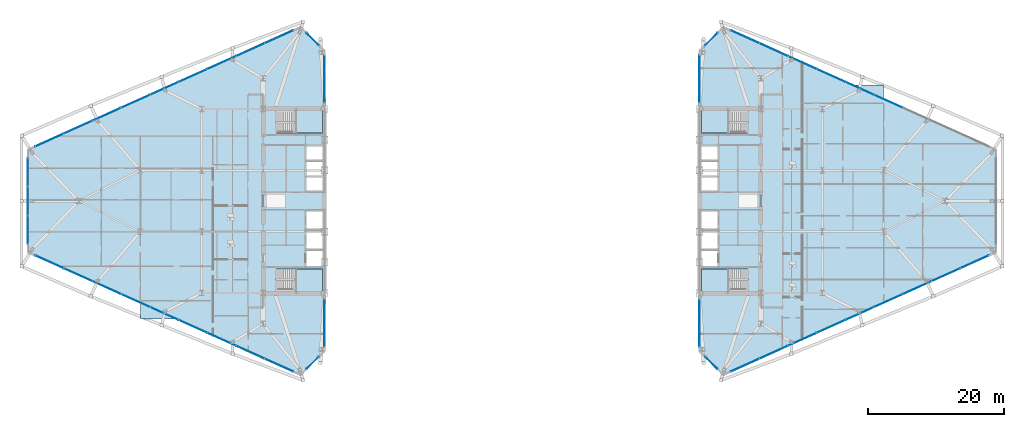
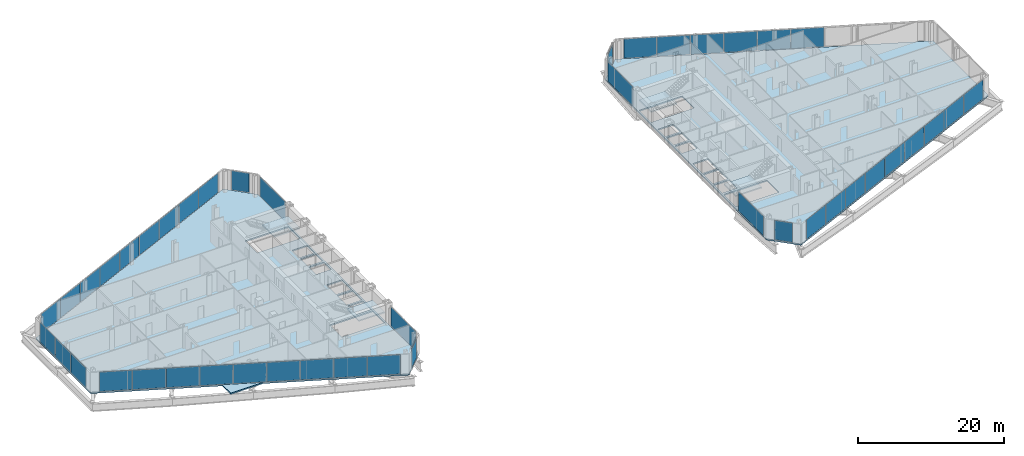
# One storey, part 18 of 29: 44 plates, 8 slabs, 17 elements without a shape of their own.
"""IFC4 building model written with IfcOpenShell, lengths in metres."""

from ifc_helpers import new_model, si_unit, direction, frame, origin, origin_2d, place, context, subcontext, project, spatial, polyline, rectangle, outline, extrude, source, transform, mapped, material, layer, layer_set, type_object, type_shapes, element, aggregate, save


model = new_model("IFC4")

# Units and contexts
model_context = context("Model", 3, precision=1e-05, world=origin(), true_north=direction((0.0, 1.0)))
body_context = subcontext(model_context, "Body", "Model", "MODEL_VIEW")
ifc_project = project(units=[si_unit("LENGTHUNIT", "METRE"), si_unit("AREAUNIT", "SQUARE_METRE"), si_unit("VOLUMEUNIT", "CUBIC_METRE"), si_unit("PLANEANGLEUNIT", "RADIAN"), si_unit("MASSUNIT", "GRAM", prefix="KILO")], contexts=[model_context])

# Site, building, storey
site_placement = place(None, origin())
site = spatial("IfcSite", under=ifc_project, at=site_placement, CompositionType="ELEMENT")
building_placement = place(site_placement, origin())
building = spatial("IfcBuilding", under=site, at=building_placement, Name="Seokmaru Belvedere", CompositionType="ELEMENT")
storey_placement = place(building_placement, frame((0.0, 0.0, 62.10009765625)))
storey = spatial("IfcBuildingStorey", under=building, at=storey_placement, Name="L16", CompositionType="ELEMENT", Elevation=62.10009765625)

# Stair, slab
ifc_material_1 = material(Name="Concrete C40 (40 MPa)", Category="concrete")
stair_type = type_object("IfcStairType", Name="Typical Tower Core Dog-Leg Stair 3600", PredefinedType="TWO_STRAIGHT_RUN_STAIR", material=ifc_material_1)
stair_1_placement = place(storey_placement, origin())
stair_1 = element("IfcStair", 1, at=stair_1_placement, inside=storey, type_object=stair_type, Name="L16 Special Escape Stair ST-W1", PredefinedType="TWO_STRAIGHT_RUN_STAIR")
ifc_layer_1 = layer(ifc_material_1, 0.199951171875)
ifc_layer_set_1 = layer_set([ifc_layer_1], Name="Concrete C40 (40 MPa)")
slab_type_1 = type_object("IfcSlabType", Name="Reinforced Concrete Stair Landing Slab 200", PredefinedType="LANDING", material=ifc_layer_set_1)
slab_1_placement = place(storey_placement, frame((0.0, 0.0, 1.599853515625)))
slab_1 = element("IfcSlab", 2, at=slab_1_placement, type_object=slab_type_1, Name="ST-W1 landing 1", PredefinedType="LANDING", context=body_context, shape_type="SweptSolid", body=[
    extrude(outline(polyline([(-31.8798828125, -13.239990234375), (-27.760009765625, -13.239990234375), (-27.760009765625, -9.949951171875), (-31.8798828125, -9.949951171875), (-31.8798828125, -13.239990234375)])), origin(), (0.0, 0.0, 1.0), 0.199951171875),
])
aggregate(stair_1, [slab_1])

stair_2_placement = place(storey_placement, origin())
stair_2 = element("IfcStair", 3, at=stair_2_placement, inside=storey, type_object=stair_type, Name="L16 Special Escape Stair ST-W2", PredefinedType="TWO_STRAIGHT_RUN_STAIR")
slab_2_placement = place(storey_placement, frame((0.0, 0.0, 1.599853515625)))
slab_2 = element("IfcSlab", 4, at=slab_2_placement, type_object=slab_type_1, Name="ST-W2 landing 1", PredefinedType="LANDING", context=body_context, shape_type="SweptSolid", body=[
    extrude(outline(polyline([(-31.8798828125, 9.949951171875), (-27.760009765625, 9.949951171875), (-27.760009765625, 13.239990234375), (-31.8798828125, 13.239990234375), (-31.8798828125, 9.949951171875)])), origin(), (0.0, 0.0, 1.0), 0.199951171875),
])
aggregate(stair_2, [slab_2])

stair_3_placement = place(storey_placement, origin())
stair_3 = element("IfcStair", 5, at=stair_3_placement, inside=storey, type_object=stair_type, Name="L16 Special Escape Stair ST-E1", PredefinedType="TWO_STRAIGHT_RUN_STAIR")
slab_3_placement = place(storey_placement, frame((0.0, 0.0, 1.599853515625)))
slab_3 = element("IfcSlab", 6, at=slab_3_placement, type_object=slab_type_1, Name="ST-E1 landing 1", PredefinedType="LANDING", context=body_context, shape_type="SweptSolid", body=[
    extrude(outline(polyline([(27.760009765625, -13.239990234375), (31.8798828125, -13.239990234375), (31.8798828125, -9.949951171875), (27.760009765625, -9.949951171875), (27.760009765625, -13.239990234375)])), origin(), (0.0, 0.0, 1.0), 0.199951171875),
])
aggregate(stair_3, [slab_3])

stair_4_placement = place(storey_placement, origin())
stair_4 = element("IfcStair", 7, at=stair_4_placement, inside=storey, type_object=stair_type, Name="L16 Special Escape Stair ST-E2", PredefinedType="TWO_STRAIGHT_RUN_STAIR")
slab_4_placement = place(storey_placement, frame((0.0, 0.0, 1.599853515625)))
slab_4 = element("IfcSlab", 8, at=slab_4_placement, type_object=slab_type_1, Name="ST-E2 landing 1", PredefinedType="LANDING", context=body_context, shape_type="SweptSolid", body=[
    extrude(outline(polyline([(27.760009765625, 9.949951171875), (31.8798828125, 9.949951171875), (31.8798828125, 13.239990234375), (27.760009765625, 13.239990234375), (27.760009765625, 9.949951171875)])), origin(), (0.0, 0.0, 1.0), 0.199951171875),
])
aggregate(stair_4, [slab_4])

# Slabs
ifc_layer_2 = layer(ifc_material_1, 0.219970703125)
ifc_layer_set_2 = layer_set([ifc_layer_2], Name="Concrete C40 (40 MPa)")
slab_type_2 = type_object("IfcSlabType", Name="Setback Corner Roof Slab 220", PredefinedType="ROOF", material=ifc_layer_set_2)
slab_5_placement = place(storey_placement, frame((0.0, 0.0, -0.22021484375)))
element("IfcSlab", 9, at=slab_5_placement, inside=storey, type_object=slab_type_2, Name="L16 West Setback Corner Roof Slab", PredefinedType="ROOF", context=body_context, shape_type="SweptSolid", body=[
    extrude(outline(polyline([(-49.313720703125, -17.259033203125), (-54.474609375, -14.936767578125), (-54.474609375, -17.274658203125), (-49.317138671875, -17.274658203125), (-49.313720703125, -17.259033203125)])), origin(), (0.0, 0.0, 1.0), 0.22021484375),
])
slab_6_placement = place(storey_placement, frame((0.0, 0.0, -0.22021484375)))
element("IfcSlab", 10, at=slab_6_placement, inside=storey, type_object=slab_type_2, Name="L16 East Setback Corner Roof Slab", PredefinedType="ROOF", context=body_context, shape_type="SweptSolid", body=[
    extrude(outline(polyline([(49.824951171875, 17.029052734375), (54.474609375, 14.936767578125), (54.474609375, 17.044677734375), (49.828369140625, 17.044677734375), (49.824951171875, 17.029052734375)])), origin(), (0.0, 0.0, 1.0), 0.22021484375),
])
ifc_layer_3 = layer(ifc_material_1, 0.219970703125)
ifc_layer_set_3 = layer_set([ifc_layer_3], Name="Concrete C40 (40 MPa)")
slab_type_3 = type_object("IfcSlabType", Name="Typical Tower Composite Floor Slab 220", PredefinedType="FLOOR", material=ifc_layer_set_3)
slab_7_placement = place(storey_placement, frame((0.0, 0.0, -0.22021484375)))
element("IfcSlab", 11, at=slab_7_placement, inside=storey, type_object=slab_type_3, Name="L16 West Leg Floor Slab", PredefinedType="FLOOR", context=body_context, shape_type="SweptSolid", body=[
    extrude(outline(polyline([(-27.5, -22.0), (-27.5, 22.0), (-31.0, 25.5), (-71.0, 7.5), (-71.0, -7.5), (-31.0, -25.5), (-27.5, -22.0)]), holes=[polyline([(-34.60009765625, -13.25), (-27.75, -13.25), (-27.75, -9.949951171875), (-34.60009765625, -9.949951171875), (-34.60009765625, -13.25)]), polyline([(-34.60009765625, 9.949951171875), (-27.75, 9.949951171875), (-27.75, 13.25), (-34.60009765625, 13.25), (-34.60009765625, 9.949951171875)]), polyline([(-30.14990234375, -9.550048828125), (-27.75, -9.550048828125), (-27.75, -7.25), (-30.14990234375, -7.25), (-30.14990234375, -9.550048828125)]), polyline([(-30.14990234375, -6.949951171875), (-27.75, -6.949951171875), (-27.75, -4.35009765625), (-30.14990234375, -4.35009765625), (-30.14990234375, -6.949951171875)]), polyline([(-30.14990234375, -4.050048828125), (-27.75, -4.050048828125), (-27.75, -1.449951171875), (-30.14990234375, -1.449951171875), (-30.14990234375, -4.050048828125)]), polyline([(-30.14990234375, 1.449951171875), (-27.75, 1.449951171875), (-27.75, 3.449951171875), (-30.14990234375, 3.449951171875), (-30.14990234375, 1.449951171875)]), polyline([(-30.14990234375, 3.75), (-27.75, 3.75), (-27.75, 5.75), (-30.14990234375, 5.75), (-30.14990234375, 3.75)]), polyline([(-30.14990234375, 6.050048828125), (-27.75, 6.050048828125), (-27.75, 8.050048828125), (-30.14990234375, 8.050048828125), (-30.14990234375, 6.050048828125)])]), origin(), (0.0, 0.0, 1.0), 0.22021484375),
])
slab_8_placement = place(storey_placement, frame((0.0, 0.0, -0.22021484375)))
element("IfcSlab", 12, at=slab_8_placement, inside=storey, type_object=slab_type_3, Name="L16 East Leg Floor Slab", PredefinedType="FLOOR", context=body_context, shape_type="SweptSolid", body=[
    extrude(outline(polyline([(31.0, -25.5), (71.0, -7.5), (71.0, 7.5), (31.0, 25.5), (27.5, 22.0), (27.5, -22.0), (31.0, -25.5)]), holes=[polyline([(27.75, -13.25), (34.60009765625, -13.25), (34.60009765625, -9.949951171875), (27.75, -9.949951171875), (27.75, -13.25)]), polyline([(27.75, 9.949951171875), (34.60009765625, 9.949951171875), (34.60009765625, 13.25), (27.75, 13.25), (27.75, 9.949951171875)]), polyline([(27.75, -9.550048828125), (30.14990234375, -9.550048828125), (30.14990234375, -7.25), (27.75, -7.25), (27.75, -9.550048828125)]), polyline([(27.75, -6.949951171875), (30.14990234375, -6.949951171875), (30.14990234375, -4.35009765625), (27.75, -4.35009765625), (27.75, -6.949951171875)]), polyline([(27.75, -4.050048828125), (30.14990234375, -4.050048828125), (30.14990234375, -1.449951171875), (27.75, -1.449951171875), (27.75, -4.050048828125)]), polyline([(27.75, 1.449951171875), (30.14990234375, 1.449951171875), (30.14990234375, 3.449951171875), (27.75, 3.449951171875), (27.75, 1.449951171875)]), polyline([(27.75, 3.75), (30.14990234375, 3.75), (30.14990234375, 5.75), (27.75, 5.75), (27.75, 3.75)]), polyline([(27.75, 6.050048828125), (30.14990234375, 6.050048828125), (30.14990234375, 8.050048828125), (27.75, 8.050048828125), (27.75, 6.050048828125)])]), origin(), (0.0, 0.0, 1.0), 0.22021484375),
])

# Curtain wall, plate
ifc_material_2 = material(Name="Bronze Triple Insulating Glass", Category="glass")
ifc_layer_4 = layer(ifc_material_2, 0.195068359375)
ifc_layer_set_4 = layer_set([ifc_layer_4], Name="Bronze Triple Insulating Glass")
curtain_wall_type = type_object("IfcCurtainWallType", Name="Lower-Mid Tapered Curtain Wall System CW-3", PredefinedType="NOTDEFINED", material=ifc_layer_set_4)
curtain_wall_1_placement = place(storey_placement, origin())
curtain_wall_1 = element("IfcCurtainWall", 13, at=curtain_wall_1_placement, inside=storey, type_object=curtain_wall_type, Name="L16 Curtain Wall WSP_1", PredefinedType="NOTDEFINED")
ifc_layer_5 = layer(ifc_material_2, 0.035888671875)
ifc_layer_set_5 = layer_set([ifc_layer_5], Name="Bronze Triple Insulating Glass")
plate_type = type_object("IfcPlateType", Name="Bronze Triple Vision Glazing Panel 36", PredefinedType="CURTAIN_PANEL", material=ifc_layer_set_5)
shared_shape_1 = source(origin(), body_context, "Body", "SweptSolid", [
    extrude(rectangle(XDim=6.909912109375, YDim=0.035888671875, at=origin_2d()), origin(), (0.0, 0.0, 1.0), 3.239990234375),
])
plate_1_placement = place(storey_placement, frame((-27.5, -17.905029296875, 0.06982421875), z_axis=(0.0, 0.0, 1.0), x_axis=(0.0, 1.0, 0.0)))
plate_1 = element("IfcPlate", 14, at=plate_1_placement, type_object=plate_type, Name="CW:L16:WSP_1 Glazing Panel 1-1", PredefinedType="CURTAIN_PANEL", context=body_context, shape_type="MappedRepresentation", body=[
    mapped(shared_shape_1, transform((0.0, 0.0, 0.0), scale=1.0)),
])
aggregate(curtain_wall_1, [plate_1])

curtain_wall_2_placement = place(storey_placement, origin())
curtain_wall_2 = element("IfcCurtainWall", 15, at=curtain_wall_2_placement, inside=storey, type_object=curtain_wall_type, Name="L16 Curtain Wall WSP_2", PredefinedType="NOTDEFINED")
plate_2_placement = place(storey_placement, frame((-27.5, 17.905029296875, 0.06982421875), z_axis=(0.0, 0.0, 1.0), x_axis=(0.0, 1.0, 0.0)))
plate_2 = element("IfcPlate", 16, at=plate_2_placement, type_object=plate_type, Name="CW:L16:WSP_2 Glazing Panel 1-1", PredefinedType="CURTAIN_PANEL", context=body_context, shape_type="MappedRepresentation", body=[
    mapped(shared_shape_1, transform((0.0, 0.0, 0.0), scale=1.0)),
])
aggregate(curtain_wall_2, [plate_2])

curtain_wall_3_placement = place(storey_placement, origin())
curtain_wall_3 = element("IfcCurtainWall", 17, at=curtain_wall_3_placement, inside=storey, type_object=curtain_wall_type, Name="L16 Curtain Wall ESP_1", PredefinedType="NOTDEFINED")
plate_3_placement = place(storey_placement, frame((27.5, -17.905029296875, 0.06982421875), z_axis=(0.0, 0.0, 1.0), x_axis=(0.0, -1.0, 0.0)))
plate_3 = element("IfcPlate", 18, at=plate_3_placement, type_object=plate_type, Name="CW:L16:ESP_1 Glazing Panel 1-1", PredefinedType="CURTAIN_PANEL", context=body_context, shape_type="MappedRepresentation", body=[
    mapped(shared_shape_1, transform((0.0, 0.0, 0.0), scale=1.0)),
])
aggregate(curtain_wall_3, [plate_3])

curtain_wall_4_placement = place(storey_placement, origin())
curtain_wall_4 = element("IfcCurtainWall", 19, at=curtain_wall_4_placement, inside=storey, type_object=curtain_wall_type, Name="L16 Curtain Wall ESP_2", PredefinedType="NOTDEFINED")
plate_4_placement = place(storey_placement, frame((27.5, 17.905029296875, 0.06982421875), z_axis=(0.0, 0.0, 1.0), x_axis=(0.0, -1.0, 0.0)))
plate_4 = element("IfcPlate", 20, at=plate_4_placement, type_object=plate_type, Name="CW:L16:ESP_2 Glazing Panel 1-1", PredefinedType="CURTAIN_PANEL", context=body_context, shape_type="MappedRepresentation", body=[
    mapped(shared_shape_1, transform((0.0, 0.0, 0.0), scale=1.0)),
])
aggregate(curtain_wall_4, [plate_4])

curtain_wall_5_placement = place(storey_placement, origin())
curtain_wall_5 = element("IfcCurtainWall", 21, at=curtain_wall_5_placement, inside=storey, type_object=curtain_wall_type, Name="L16 Curtain Wall WF2", PredefinedType="NOTDEFINED")
shared_shape_2 = source(origin(), body_context, "Body", "SweptSolid", [
    extrude(rectangle(XDim=2.509765625, YDim=0.035888671875, at=origin_2d()), origin(), (0.0, 0.0, 1.0), 3.239990234375),
])
plate_5_placement = place(storey_placement, frame((-29.25, 23.75, 0.06982421875), z_axis=(0.0, 0.0, 1.0), x_axis=(-0.707106781187, 0.707106781187, 0.0)))
plate_5 = element("IfcPlate", 22, at=plate_5_placement, type_object=plate_type, Name="CW:L16:WF2 Glazing Panel 1-1", PredefinedType="CURTAIN_PANEL", context=body_context, shape_type="MappedRepresentation", body=[
    mapped(shared_shape_2, transform((0.0, 0.0, 0.0), scale=1.0)),
])
aggregate(curtain_wall_5, [plate_5])

curtain_wall_6_placement = place(storey_placement, origin())
curtain_wall_6 = element("IfcCurtainWall", 23, at=curtain_wall_6_placement, inside=storey, type_object=curtain_wall_type, Name="L16 Curtain Wall WF6", PredefinedType="NOTDEFINED")
plate_6_placement = place(storey_placement, frame((-29.25, -23.75, 0.06982421875), z_axis=(0.0, 0.0, 1.0), x_axis=(0.707106781187, 0.707106781187, 0.0)))
plate_6 = element("IfcPlate", 24, at=plate_6_placement, type_object=plate_type, Name="CW:L16:WF6 Glazing Panel 1-1", PredefinedType="CURTAIN_PANEL", context=body_context, shape_type="MappedRepresentation", body=[
    mapped(shared_shape_2, transform((0.0, 0.0, 0.0), scale=1.0)),
])
aggregate(curtain_wall_6, [plate_6])

curtain_wall_7_placement = place(storey_placement, origin())
curtain_wall_7 = element("IfcCurtainWall", 25, at=curtain_wall_7_placement, inside=storey, type_object=curtain_wall_type, Name="L16 Curtain Wall EF4", PredefinedType="NOTDEFINED")
plate_7_placement = place(storey_placement, frame((29.25, 23.75, 0.06982421875), z_axis=(0.0, 0.0, 1.0), x_axis=(-0.707106781187, -0.707106781187, 0.0)))
plate_7 = element("IfcPlate", 26, at=plate_7_placement, type_object=plate_type, Name="CW:L16:EF4 Glazing Panel 1-1", PredefinedType="CURTAIN_PANEL", context=body_context, shape_type="MappedRepresentation", body=[
    mapped(shared_shape_2, transform((0.0, 0.0, 0.0), scale=1.0)),
])
aggregate(curtain_wall_7, [plate_7])

curtain_wall_8_placement = place(storey_placement, origin())
curtain_wall_8 = element("IfcCurtainWall", 27, at=curtain_wall_8_placement, inside=storey, type_object=curtain_wall_type, Name="L16 Curtain Wall EF6", PredefinedType="NOTDEFINED")
plate_8_placement = place(storey_placement, frame((29.25, -23.75, 0.06982421875), z_axis=(0.0, 0.0, 1.0), x_axis=(0.707106781187, -0.707106781187, 0.0)))
plate_8 = element("IfcPlate", 28, at=plate_8_placement, type_object=plate_type, Name="CW:L16:EF6 Glazing Panel 1-1", PredefinedType="CURTAIN_PANEL", context=body_context, shape_type="MappedRepresentation", body=[
    mapped(shared_shape_2, transform((0.0, 0.0, 0.0), scale=1.0)),
])
aggregate(curtain_wall_8, [plate_8])

# Curtain wall, plates
curtain_wall_9_placement = place(storey_placement, origin())
curtain_wall_9 = element("IfcCurtainWall", 29, at=curtain_wall_9_placement, inside=storey, type_object=curtain_wall_type, Name="L16 Curtain Wall WF3", PredefinedType="NOTDEFINED")
shared_shape_3 = source(origin(), body_context, "Body", "SweptSolid", [
    extrude(rectangle(XDim=4.51318359375, YDim=0.035888671875, at=origin_2d()), origin(), (0.0, 0.0, 1.0), 3.239990234375),
])
plate_9_placement = place(storey_placement, frame((-34.17041015625, 24.073486328125, 0.06982421875), z_axis=(0.0, 0.0, 1.0), x_axis=(-0.91192111353, -0.41036554765, 0.0)))
plate_9 = element("IfcPlate", 30, at=plate_9_placement, type_object=plate_type, Name="CW:L16:WF3 Glazing Panel 1-1", PredefinedType="CURTAIN_PANEL", context=body_context, shape_type="MappedRepresentation", body=[
    mapped(shared_shape_3, transform((0.0, 0.0, 0.0), scale=1.0)),
])
plate_10_placement = place(storey_placement, frame((-67.82958984375, 8.926513671875, 0.06982421875), z_axis=(0.0, 0.0, 1.0), x_axis=(-0.91192111353, -0.41036554765, 0.0)))
plate_10 = element("IfcPlate", 31, at=plate_10_placement, type_object=plate_type, Name="CW:L16:WF3 Glazing Panel 9-1", PredefinedType="CURTAIN_PANEL", context=body_context, shape_type="MappedRepresentation", body=[
    mapped(shared_shape_3, transform((0.0, 0.0, 0.0), scale=1.0)),
])

curtain_wall_10_placement = place(storey_placement, origin())
curtain_wall_10 = element("IfcCurtainWall", 32, at=curtain_wall_10_placement, inside=storey, type_object=curtain_wall_type, Name="L16 Curtain Wall WF5", PredefinedType="NOTDEFINED")
plate_11_placement = place(storey_placement, frame((-67.82958984375, -8.926513671875, 0.06982421875), z_axis=(0.0, 0.0, 1.0), x_axis=(0.91192111353, -0.41036554765, 0.0)))
plate_11 = element("IfcPlate", 33, at=plate_11_placement, type_object=plate_type, Name="CW:L16:WF5 Glazing Panel 1-1", PredefinedType="CURTAIN_PANEL", context=body_context, shape_type="MappedRepresentation", body=[
    mapped(shared_shape_3, transform((0.0, 0.0, 0.0), scale=1.0)),
])
plate_12_placement = place(storey_placement, frame((-34.17041015625, -24.073486328125, 0.06982421875), z_axis=(0.0, 0.0, 1.0), x_axis=(0.91192111353, -0.41036554765, 0.0)))
plate_12 = element("IfcPlate", 34, at=plate_12_placement, type_object=plate_type, Name="CW:L16:WF5 Glazing Panel 9-1", PredefinedType="CURTAIN_PANEL", context=body_context, shape_type="MappedRepresentation", body=[
    mapped(shared_shape_3, transform((0.0, 0.0, 0.0), scale=1.0)),
])

curtain_wall_11_placement = place(storey_placement, origin())
curtain_wall_11 = element("IfcCurtainWall", 35, at=curtain_wall_11_placement, inside=storey, type_object=curtain_wall_type, Name="L16 Curtain Wall EF1", PredefinedType="NOTDEFINED")
plate_13_placement = place(storey_placement, frame((34.17041015625, -24.073486328125, 0.06982421875), z_axis=(0.0, 0.0, 1.0), x_axis=(0.91192111353, 0.41036554765, 0.0)))
plate_13 = element("IfcPlate", 36, at=plate_13_placement, type_object=plate_type, Name="CW:L16:EF1 Glazing Panel 1-1", PredefinedType="CURTAIN_PANEL", context=body_context, shape_type="MappedRepresentation", body=[
    mapped(shared_shape_3, transform((0.0, 0.0, 0.0), scale=1.0)),
])
plate_14_placement = place(storey_placement, frame((67.82958984375, -8.926513671875, 0.06982421875), z_axis=(0.0, 0.0, 1.0), x_axis=(0.91192111353, 0.41036554765, 0.0)))
plate_14 = element("IfcPlate", 37, at=plate_14_placement, type_object=plate_type, Name="CW:L16:EF1 Glazing Panel 9-1", PredefinedType="CURTAIN_PANEL", context=body_context, shape_type="MappedRepresentation", body=[
    mapped(shared_shape_3, transform((0.0, 0.0, 0.0), scale=1.0)),
])

# Curtain wall, plate
curtain_wall_12_placement = place(storey_placement, origin())
curtain_wall_12 = element("IfcCurtainWall", 38, at=curtain_wall_12_placement, inside=storey, type_object=curtain_wall_type, Name="L16 Curtain Wall EF3", PredefinedType="NOTDEFINED")
plate_15_placement = place(storey_placement, frame((34.17041015625, 24.073486328125, 0.06982421875), z_axis=(0.0, 0.0, 1.0), x_axis=(-0.91192111353, 0.41036554765, 0.0)))
plate_15 = element("IfcPlate", 39, at=plate_15_placement, type_object=plate_type, Name="CW:L16:EF3 Glazing Panel 9-1", PredefinedType="CURTAIN_PANEL", context=body_context, shape_type="MappedRepresentation", body=[
    mapped(shared_shape_3, transform((0.0, 0.0, 0.0), scale=1.0)),
])

# Plate
shared_shape_4 = source(origin(), body_context, "Body", "SweptSolid", [
    extrude(rectangle(XDim=4.548095703125, YDim=0.035888671875, at=origin_2d()), origin(), (0.0, 0.0, 1.0), 3.239990234375),
])
plate_16_placement = place(storey_placement, frame((-38.36572265625, 22.185302734375, 0.06982421875), z_axis=(0.0, 0.0, 1.0), x_axis=(-0.91192111353, -0.41036554765, 0.0)))
plate_16 = element("IfcPlate", 40, at=plate_16_placement, type_object=plate_type, Name="CW:L16:WF3 Glazing Panel 2-1", PredefinedType="CURTAIN_PANEL", context=body_context, shape_type="MappedRepresentation", body=[
    mapped(shared_shape_4, transform((0.0, 0.0, 0.0), scale=1.0)),
])

plate_17_placement = place(storey_placement, frame((-42.5771484375, 20.290283203125, 0.06982421875), z_axis=(0.0, 0.0, 1.0), x_axis=(-0.91192111353, -0.41036554765, 0.0)))
plate_17 = element("IfcPlate", 41, at=plate_17_placement, type_object=plate_type, Name="CW:L16:WF3 Glazing Panel 3-1", PredefinedType="CURTAIN_PANEL", context=body_context, shape_type="MappedRepresentation", body=[
    mapped(shared_shape_4, transform((0.0, 0.0, 0.0), scale=1.0)),
])

plate_18_placement = place(storey_placement, frame((-46.78857421875, 18.39501953125, 0.06982421875), z_axis=(0.0, 0.0, 1.0), x_axis=(-0.91192111353, -0.41036554765, 0.0)))
plate_18 = element("IfcPlate", 42, at=plate_18_placement, type_object=plate_type, Name="CW:L16:WF3 Glazing Panel 4-1", PredefinedType="CURTAIN_PANEL", context=body_context, shape_type="MappedRepresentation", body=[
    mapped(shared_shape_4, transform((0.0, 0.0, 0.0), scale=1.0)),
])

plate_19_placement = place(storey_placement, frame((-51.0, 16.5, 0.06982421875), z_axis=(0.0, 0.0, 1.0), x_axis=(-0.91192111353, -0.41036554765, 0.0)))
plate_19 = element("IfcPlate", 43, at=plate_19_placement, type_object=plate_type, Name="CW:L16:WF3 Glazing Panel 5-1", PredefinedType="CURTAIN_PANEL", context=body_context, shape_type="MappedRepresentation", body=[
    mapped(shared_shape_4, transform((0.0, 0.0, 0.0), scale=1.0)),
])

plate_20_placement = place(storey_placement, frame((-55.21142578125, 14.60498046875, 0.06982421875), z_axis=(0.0, 0.0, 1.0), x_axis=(-0.91192111353, -0.41036554765, 0.0)))
plate_20 = element("IfcPlate", 44, at=plate_20_placement, type_object=plate_type, Name="CW:L16:WF3 Glazing Panel 6-1", PredefinedType="CURTAIN_PANEL", context=body_context, shape_type="MappedRepresentation", body=[
    mapped(shared_shape_4, transform((0.0, 0.0, 0.0), scale=1.0)),
])

plate_21_placement = place(storey_placement, frame((-59.4228515625, 12.709716796875, 0.06982421875), z_axis=(0.0, 0.0, 1.0), x_axis=(-0.91192111353, -0.41036554765, 0.0)))
plate_21 = element("IfcPlate", 45, at=plate_21_placement, type_object=plate_type, Name="CW:L16:WF3 Glazing Panel 7-1", PredefinedType="CURTAIN_PANEL", context=body_context, shape_type="MappedRepresentation", body=[
    mapped(shared_shape_4, transform((0.0, 0.0, 0.0), scale=1.0)),
])

plate_22_placement = place(storey_placement, frame((-63.63427734375, 10.814697265625, 0.06982421875), z_axis=(0.0, 0.0, 1.0), x_axis=(-0.91192111353, -0.41036554765, 0.0)))
plate_22 = element("IfcPlate", 46, at=plate_22_placement, type_object=plate_type, Name="CW:L16:WF3 Glazing Panel 8-1", PredefinedType="CURTAIN_PANEL", context=body_context, shape_type="MappedRepresentation", body=[
    mapped(shared_shape_4, transform((0.0, 0.0, 0.0), scale=1.0)),
])

aggregate(curtain_wall_9, [plate_9, plate_16, plate_17, plate_18, plate_19, plate_20, plate_21, plate_22, plate_10])

plate_23_placement = place(storey_placement, frame((-63.63427734375, -10.814697265625, 0.06982421875), z_axis=(0.0, 0.0, 1.0), x_axis=(0.91192111353, -0.41036554765, 0.0)))
plate_23 = element("IfcPlate", 47, at=plate_23_placement, type_object=plate_type, Name="CW:L16:WF5 Glazing Panel 2-1", PredefinedType="CURTAIN_PANEL", context=body_context, shape_type="MappedRepresentation", body=[
    mapped(shared_shape_4, transform((0.0, 0.0, 0.0), scale=1.0)),
])

plate_24_placement = place(storey_placement, frame((-59.4228515625, -12.709716796875, 0.06982421875), z_axis=(0.0, 0.0, 1.0), x_axis=(0.91192111353, -0.41036554765, 0.0)))
plate_24 = element("IfcPlate", 48, at=plate_24_placement, type_object=plate_type, Name="CW:L16:WF5 Glazing Panel 3-1", PredefinedType="CURTAIN_PANEL", context=body_context, shape_type="MappedRepresentation", body=[
    mapped(shared_shape_4, transform((0.0, 0.0, 0.0), scale=1.0)),
])

plate_25_placement = place(storey_placement, frame((-55.21142578125, -14.60498046875, 0.06982421875), z_axis=(0.0, 0.0, 1.0), x_axis=(0.91192111353, -0.41036554765, 0.0)))
plate_25 = element("IfcPlate", 49, at=plate_25_placement, type_object=plate_type, Name="CW:L16:WF5 Glazing Panel 4-1", PredefinedType="CURTAIN_PANEL", context=body_context, shape_type="MappedRepresentation", body=[
    mapped(shared_shape_4, transform((0.0, 0.0, 0.0), scale=1.0)),
])

plate_26_placement = place(storey_placement, frame((-51.0, -16.5, 0.06982421875), z_axis=(0.0, 0.0, 1.0), x_axis=(0.91192111353, -0.41036554765, 0.0)))
plate_26 = element("IfcPlate", 50, at=plate_26_placement, type_object=plate_type, Name="CW:L16:WF5 Glazing Panel 5-1", PredefinedType="CURTAIN_PANEL", context=body_context, shape_type="MappedRepresentation", body=[
    mapped(shared_shape_4, transform((0.0, 0.0, 0.0), scale=1.0)),
])

plate_27_placement = place(storey_placement, frame((-46.78857421875, -18.39501953125, 0.06982421875), z_axis=(0.0, 0.0, 1.0), x_axis=(0.91192111353, -0.41036554765, 0.0)))
plate_27 = element("IfcPlate", 51, at=plate_27_placement, type_object=plate_type, Name="CW:L16:WF5 Glazing Panel 6-1", PredefinedType="CURTAIN_PANEL", context=body_context, shape_type="MappedRepresentation", body=[
    mapped(shared_shape_4, transform((0.0, 0.0, 0.0), scale=1.0)),
])

plate_28_placement = place(storey_placement, frame((-42.5771484375, -20.290283203125, 0.06982421875), z_axis=(0.0, 0.0, 1.0), x_axis=(0.91192111353, -0.41036554765, 0.0)))
plate_28 = element("IfcPlate", 52, at=plate_28_placement, type_object=plate_type, Name="CW:L16:WF5 Glazing Panel 7-1", PredefinedType="CURTAIN_PANEL", context=body_context, shape_type="MappedRepresentation", body=[
    mapped(shared_shape_4, transform((0.0, 0.0, 0.0), scale=1.0)),
])

plate_29_placement = place(storey_placement, frame((-38.36572265625, -22.185302734375, 0.06982421875), z_axis=(0.0, 0.0, 1.0), x_axis=(0.91192111353, -0.41036554765, 0.0)))
plate_29 = element("IfcPlate", 53, at=plate_29_placement, type_object=plate_type, Name="CW:L16:WF5 Glazing Panel 8-1", PredefinedType="CURTAIN_PANEL", context=body_context, shape_type="MappedRepresentation", body=[
    mapped(shared_shape_4, transform((0.0, 0.0, 0.0), scale=1.0)),
])

aggregate(curtain_wall_10, [plate_11, plate_23, plate_24, plate_25, plate_26, plate_27, plate_28, plate_29, plate_12])

plate_30_placement = place(storey_placement, frame((38.36572265625, -22.185302734375, 0.06982421875), z_axis=(0.0, 0.0, 1.0), x_axis=(0.91192111353, 0.41036554765, 0.0)))
plate_30 = element("IfcPlate", 54, at=plate_30_placement, type_object=plate_type, Name="CW:L16:EF1 Glazing Panel 2-1", PredefinedType="CURTAIN_PANEL", context=body_context, shape_type="MappedRepresentation", body=[
    mapped(shared_shape_4, transform((0.0, 0.0, 0.0), scale=1.0)),
])

plate_31_placement = place(storey_placement, frame((42.5771484375, -20.290283203125, 0.06982421875), z_axis=(0.0, 0.0, 1.0), x_axis=(0.91192111353, 0.41036554765, 0.0)))
plate_31 = element("IfcPlate", 55, at=plate_31_placement, type_object=plate_type, Name="CW:L16:EF1 Glazing Panel 3-1", PredefinedType="CURTAIN_PANEL", context=body_context, shape_type="MappedRepresentation", body=[
    mapped(shared_shape_4, transform((0.0, 0.0, 0.0), scale=1.0)),
])

plate_32_placement = place(storey_placement, frame((46.78857421875, -18.39501953125, 0.06982421875), z_axis=(0.0, 0.0, 1.0), x_axis=(0.91192111353, 0.41036554765, 0.0)))
plate_32 = element("IfcPlate", 56, at=plate_32_placement, type_object=plate_type, Name="CW:L16:EF1 Glazing Panel 4-1", PredefinedType="CURTAIN_PANEL", context=body_context, shape_type="MappedRepresentation", body=[
    mapped(shared_shape_4, transform((0.0, 0.0, 0.0), scale=1.0)),
])

plate_33_placement = place(storey_placement, frame((51.0, -16.5, 0.06982421875), z_axis=(0.0, 0.0, 1.0), x_axis=(0.91192111353, 0.41036554765, 0.0)))
plate_33 = element("IfcPlate", 57, at=plate_33_placement, type_object=plate_type, Name="CW:L16:EF1 Glazing Panel 5-1", PredefinedType="CURTAIN_PANEL", context=body_context, shape_type="MappedRepresentation", body=[
    mapped(shared_shape_4, transform((0.0, 0.0, 0.0), scale=1.0)),
])

plate_34_placement = place(storey_placement, frame((55.21142578125, -14.60498046875, 0.06982421875), z_axis=(0.0, 0.0, 1.0), x_axis=(0.91192111353, 0.41036554765, 0.0)))
plate_34 = element("IfcPlate", 58, at=plate_34_placement, type_object=plate_type, Name="CW:L16:EF1 Glazing Panel 6-1", PredefinedType="CURTAIN_PANEL", context=body_context, shape_type="MappedRepresentation", body=[
    mapped(shared_shape_4, transform((0.0, 0.0, 0.0), scale=1.0)),
])

plate_35_placement = place(storey_placement, frame((59.4228515625, -12.709716796875, 0.06982421875), z_axis=(0.0, 0.0, 1.0), x_axis=(0.91192111353, 0.41036554765, 0.0)))
plate_35 = element("IfcPlate", 59, at=plate_35_placement, type_object=plate_type, Name="CW:L16:EF1 Glazing Panel 7-1", PredefinedType="CURTAIN_PANEL", context=body_context, shape_type="MappedRepresentation", body=[
    mapped(shared_shape_4, transform((0.0, 0.0, 0.0), scale=1.0)),
])

plate_36_placement = place(storey_placement, frame((63.63427734375, -10.814697265625, 0.06982421875), z_axis=(0.0, 0.0, 1.0), x_axis=(0.91192111353, 0.41036554765, 0.0)))
plate_36 = element("IfcPlate", 60, at=plate_36_placement, type_object=plate_type, Name="CW:L16:EF1 Glazing Panel 8-1", PredefinedType="CURTAIN_PANEL", context=body_context, shape_type="MappedRepresentation", body=[
    mapped(shared_shape_4, transform((0.0, 0.0, 0.0), scale=1.0)),
])

aggregate(curtain_wall_11, [plate_13, plate_30, plate_31, plate_32, plate_33, plate_34, plate_35, plate_36, plate_14])

plate_37_placement = place(storey_placement, frame((55.21142578125, 14.60498046875, 0.06982421875), z_axis=(0.0, 0.0, 1.0), x_axis=(-0.91192111353, 0.41036554765, 0.0)))
plate_37 = element("IfcPlate", 61, at=plate_37_placement, type_object=plate_type, Name="CW:L16:EF3 Glazing Panel 4-1", PredefinedType="CURTAIN_PANEL", context=body_context, shape_type="MappedRepresentation", body=[
    mapped(shared_shape_4, transform((0.0, 0.0, 0.0), scale=1.0)),
])

plate_38_placement = place(storey_placement, frame((51.0, 16.5, 0.06982421875), z_axis=(0.0, 0.0, 1.0), x_axis=(-0.91192111353, 0.41036554765, 0.0)))
plate_38 = element("IfcPlate", 62, at=plate_38_placement, type_object=plate_type, Name="CW:L16:EF3 Glazing Panel 5-1", PredefinedType="CURTAIN_PANEL", context=body_context, shape_type="MappedRepresentation", body=[
    mapped(shared_shape_4, transform((0.0, 0.0, 0.0), scale=1.0)),
])

plate_39_placement = place(storey_placement, frame((46.78857421875, 18.39501953125, 0.06982421875), z_axis=(0.0, 0.0, 1.0), x_axis=(-0.91192111353, 0.41036554765, 0.0)))
plate_39 = element("IfcPlate", 63, at=plate_39_placement, type_object=plate_type, Name="CW:L16:EF3 Glazing Panel 6-1", PredefinedType="CURTAIN_PANEL", context=body_context, shape_type="MappedRepresentation", body=[
    mapped(shared_shape_4, transform((0.0, 0.0, 0.0), scale=1.0)),
])

plate_40_placement = place(storey_placement, frame((42.5771484375, 20.290283203125, 0.06982421875), z_axis=(0.0, 0.0, 1.0), x_axis=(-0.91192111353, 0.41036554765, 0.0)))
plate_40 = element("IfcPlate", 64, at=plate_40_placement, type_object=plate_type, Name="CW:L16:EF3 Glazing Panel 7-1", PredefinedType="CURTAIN_PANEL", context=body_context, shape_type="MappedRepresentation", body=[
    mapped(shared_shape_4, transform((0.0, 0.0, 0.0), scale=1.0)),
])

plate_41_placement = place(storey_placement, frame((38.36572265625, 22.185302734375, 0.06982421875), z_axis=(0.0, 0.0, 1.0), x_axis=(-0.91192111353, 0.41036554765, 0.0)))
plate_41 = element("IfcPlate", 65, at=plate_41_placement, type_object=plate_type, Name="CW:L16:EF3 Glazing Panel 8-1", PredefinedType="CURTAIN_PANEL", context=body_context, shape_type="MappedRepresentation", body=[
    mapped(shared_shape_4, transform((0.0, 0.0, 0.0), scale=1.0)),
])

aggregate(curtain_wall_12, [plate_37, plate_38, plate_39, plate_40, plate_41, plate_15])

# Curtain wall, plates
curtain_wall_13_placement = place(storey_placement, origin())
curtain_wall_13 = element("IfcCurtainWall", 66, at=curtain_wall_13_placement, inside=storey, type_object=curtain_wall_type, Name="L16 Curtain Wall WF4", PredefinedType="NOTDEFINED")
shared_shape_5 = source(origin(), body_context, "Body", "SweptSolid", [
    extrude(rectangle(XDim=4.12841796875, YDim=0.035888671875, at=origin_2d()), origin(), (0.0, 0.0, 1.0), 3.239990234375),
])
plate_42_placement = place(storey_placement, frame((-71.0, 4.2158203125, 0.06982421875), z_axis=(0.0, 0.0, 1.0), x_axis=(0.0, -1.0, 0.0)))
plate_42 = element("IfcPlate", 67, at=plate_42_placement, type_object=plate_type, Name="CW:L16:WF4 Glazing Panel 1-1", PredefinedType="CURTAIN_PANEL", context=body_context, shape_type="MappedRepresentation", body=[
    mapped(shared_shape_5, transform((0.0, 0.0, 0.0), scale=1.0)),
])
plate_43_placement = place(storey_placement, frame((-71.0, -4.2158203125, 0.06982421875), z_axis=(0.0, 0.0, 1.0), x_axis=(0.0, -1.0, 0.0)))
plate_43 = element("IfcPlate", 68, at=plate_43_placement, type_object=plate_type, Name="CW:L16:WF4 Glazing Panel 3-1", PredefinedType="CURTAIN_PANEL", context=body_context, shape_type="MappedRepresentation", body=[
    mapped(shared_shape_5, transform((0.0, 0.0, 0.0), scale=1.0)),
])
shared_shape_6 = source(origin(), body_context, "Body", "SweptSolid", [
    extrude(rectangle(XDim=4.163330078125, YDim=0.035888671875, at=origin_2d()), origin(), (0.0, 0.0, 1.0), 3.239990234375),
])
type_shapes(plate_type, [shared_shape_1, shared_shape_2, shared_shape_3, shared_shape_4, shared_shape_5, shared_shape_6])
plate_44_placement = place(storey_placement, frame((-71.0, 0.0, 0.06982421875), z_axis=(0.0, 0.0, 1.0), x_axis=(0.0, -1.0, 0.0)))
plate_44 = element("IfcPlate", 69, at=plate_44_placement, type_object=plate_type, Name="CW:L16:WF4 Glazing Panel 2-1", PredefinedType="CURTAIN_PANEL", context=body_context, shape_type="MappedRepresentation", body=[
    mapped(shared_shape_6, transform((0.0, 0.0, 0.0), scale=1.0)),
])
aggregate(curtain_wall_13, [plate_42, plate_44, plate_43])

save(model, "model.ifc")
